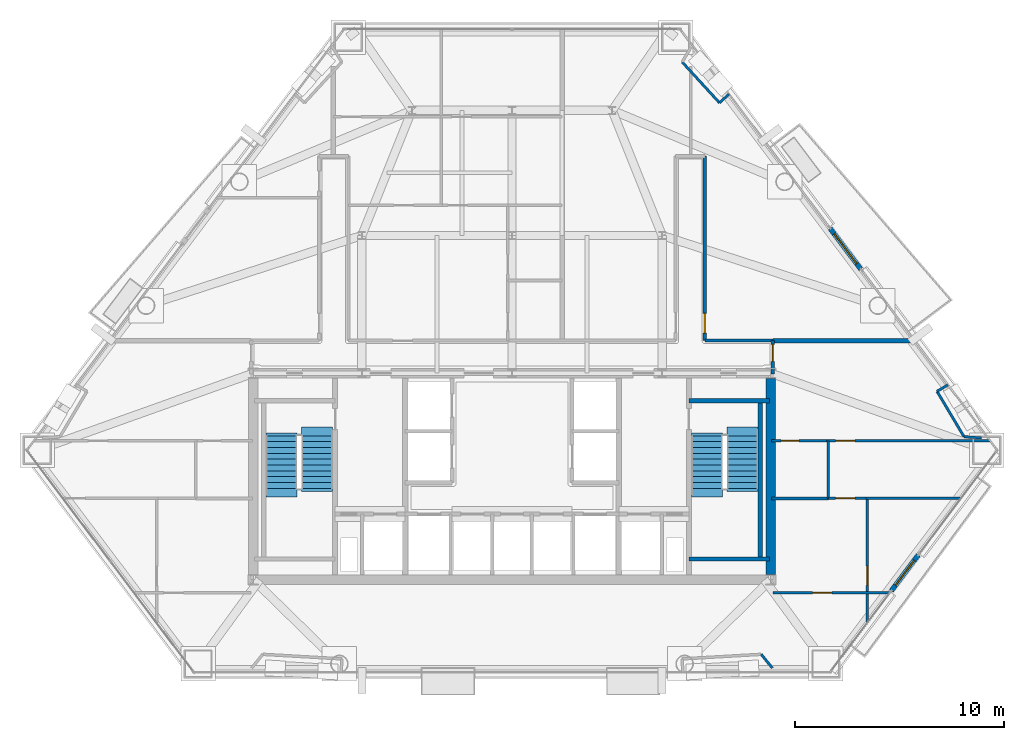
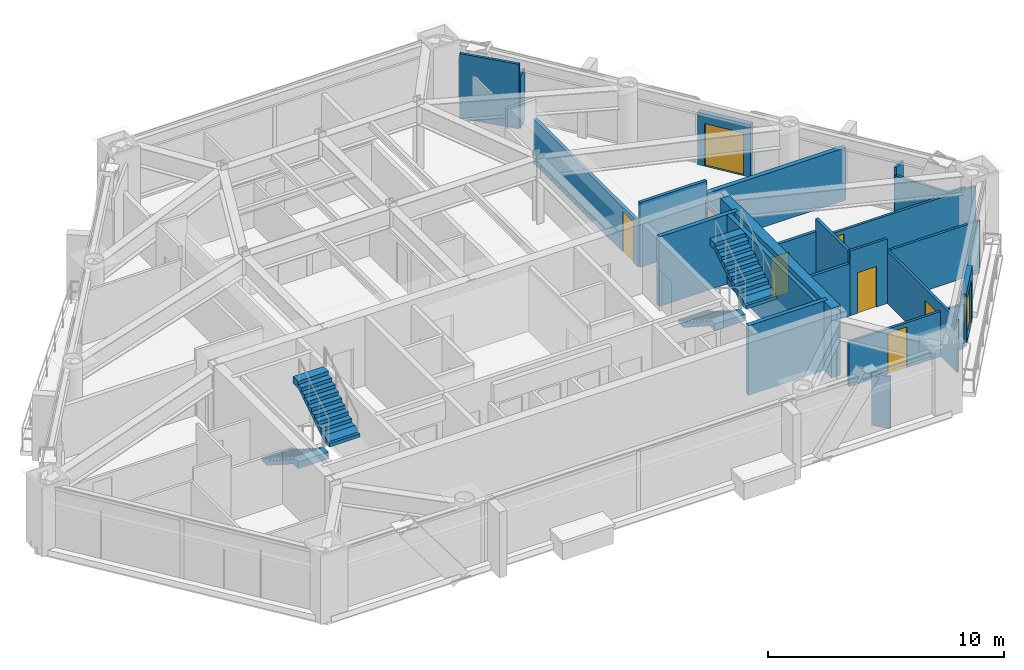
# One storey, part 8 of 10: 24 walls, 9 doors, 4 stair flights, 9 openings, 2 elements without a shape of their own.
"""IFC4 building model written with IfcOpenShell, lengths in metres."""

from ifc_helpers import new_model, si_unit, direction, frame, frame_2d, origin, place, context, subcontext, project, spatial, polyline, rectangle, outline, extrude, material, layer, layer_set, type_object, element, fill, aggregate, save


model = new_model("IFC4")

# Units and contexts
model_context = context("Model", 3, precision=1e-05, world=origin(), true_north=direction((0.0, 1.0)))
body_context = subcontext(model_context, "Body", "Model", "MODEL_VIEW")
ifc_project = project(units=[si_unit("LENGTHUNIT", "METRE"), si_unit("AREAUNIT", "SQUARE_METRE"), si_unit("VOLUMEUNIT", "CUBIC_METRE"), si_unit("PLANEANGLEUNIT", "RADIAN"), si_unit("MASSUNIT", "GRAM", prefix="KILO")], contexts=[model_context])

# Site, building, storey
site_placement = place(None, origin())
site = spatial("IfcSite", under=ifc_project, at=site_placement, CompositionType="ELEMENT")
building_placement = place(site_placement, origin())
building = spatial("IfcBuilding", under=site, at=building_placement, Name="Talgorran Terracotta Tower", CompositionType="ELEMENT")
storey_placement = place(building_placement, frame((0.0, 0.0, 49.5)))
storey = spatial("IfcBuildingStorey", under=building, at=storey_placement, Name="L12", CompositionType="ELEMENT", Elevation=49.5)

# Wall, opening, door
ifc_material_1 = material(Name="Concrete C40/50", Category="concrete")
ifc_layer_1 = layer(ifc_material_1, 0.239990234375, Name="WT_BALCONY_SPAND")
ifc_layer_set_1 = layer_set([ifc_layer_1], Name="Concrete C40/50")
wall_type_1 = type_object("IfcWallType", Name="WT_BALCONY_SPAND", PredefinedType="STANDARD", material=ifc_layer_set_1)
wall_1_placement = place(storey_placement, frame((16.72021484375, 0.7900390625, -0.014892578125), z_axis=(0.0, 0.0, 1.0), x_axis=(-0.601647678338, 0.798761585926, 0.0)))
wall_1 = element("IfcWall", 1, at=wall_1_placement, inside=storey, type_object=wall_type_1, Name="WL-L12-BALP-BAL-NE", PredefinedType="STANDARD", context=body_context, shape_type="SweptSolid", body=[
    extrude(rectangle(XDim=2.43994140625, YDim=0.239990234375, at=frame_2d((1.219970703125, 0.0))), origin(), (0.0, 0.0, 1.0), 2.728271484375),
])
opening_1_placement = place(wall_1_placement, frame((0.320068359375, 0.0, 0.014892578125)))
opening_1 = element("IfcOpeningElement", 2, at=opening_1_placement, cuts=wall_1, Name="Opening D-BAL-L12-1", PredefinedType="OPENING", context=body_context, shape_type="SweptSolid", body=[
    extrude(rectangle(XDim=1.806048828125, YDim=2.203951171875, at=frame_2d((0.89990234375, 1.10205078125))), frame((0.0, 0.1298828125, 0.0), z_axis=(0.0, -1.0, 0.0), x_axis=(1.0, 0.0, 0.0)), (0.0, 0.0, 1.0), 0.260009765625),
])
ifc_material_2 = material(Name="Thermally Broken Aluminium", Category="aluminium")
door_type_1 = type_object("IfcDoorType", Name="DT_BALC_1800", OperationType="SLIDING_TO_LEFT", PredefinedType="DOOR", material=ifc_material_2)
door_1_placement = place(opening_1_placement, origin())
door_1 = element("IfcDoor", 3, at=door_1_placement, inside=storey, type_object=door_type_1, Name="DR-L12-BAL-BAL-NE", OperationType="SLIDING_TO_LEFT", OverallHeight=2.199951171875, OverallWidth=1.800048828125, PredefinedType="DOOR", context=body_context, shape_type="SweptSolid", body=[
    extrude(rectangle(XDim=1.800048828125, YDim=2.199951171875, at=frame_2d((0.89990234375, 1.10009765625))), frame((0.0, 0.02490234375, 0.0), z_axis=(0.0, -1.0, 0.0), x_axis=(1.0, 0.0, 0.0)), (0.0, 0.0, 1.0), 0.050048828125),
])
fill(opening_1, door_1)

wall_2_placement = place(storey_placement, frame((18.188232421875, -14.625732421875, -0.014892578125), z_axis=(0.0, 0.0, 1.0), x_axis=(0.601623476904, 0.79877981449, 0.0)))
wall_2 = element("IfcWall", 4, at=wall_2_placement, inside=storey, type_object=wall_type_1, Name="WL-L12-BALP-BAL-SE", PredefinedType="STANDARD", context=body_context, shape_type="SweptSolid", body=[
    extrude(rectangle(XDim=2.139892578125, YDim=0.239990234375, at=frame_2d((1.06982421875, 0.0))), origin(), (0.0, 0.0, 1.0), 2.728271484375),
])
opening_2_placement = place(wall_2_placement, frame((0.320068359375, 0.0, 0.014892578125)))
opening_2 = element("IfcOpeningElement", 5, at=opening_2_placement, cuts=wall_2, Name="Opening D-BAL-L12-3", PredefinedType="OPENING", context=body_context, shape_type="SweptSolid", body=[
    extrude(rectangle(XDim=1.506, YDim=2.203951171875, at=frame_2d((0.75, 1.10205078125))), frame((0.0, 0.1298828125, 0.0), z_axis=(0.0, -1.0, 0.0), x_axis=(1.0, 0.0, 0.0)), (0.0, 0.0, 1.0), 0.260009765625),
])
door_type_2 = type_object("IfcDoorType", Name="DT_BALC_1500", OperationType="SLIDING_TO_RIGHT", PredefinedType="DOOR", material=ifc_material_2)
door_2_placement = place(opening_2_placement, origin())
door_2 = element("IfcDoor", 6, at=door_2_placement, inside=storey, type_object=door_type_2, Name="DR-L12-BAL-BAL-SE", OperationType="SLIDING_TO_RIGHT", OverallHeight=2.199951171875, OverallWidth=1.5, PredefinedType="DOOR", context=body_context, shape_type="SweptSolid", body=[
    extrude(rectangle(XDim=1.5, YDim=2.199951171875, at=frame_2d((0.75, 1.10009765625))), frame((0.0, 0.02490234375, 0.0), z_axis=(0.0, -1.0, 0.0), x_axis=(1.0, 0.0, 0.0)), (0.0, 0.0, 1.0), 0.050048828125),
])
fill(opening_2, door_2)

# Walls
ifc_material_3 = material(Name="Concrete C50/60", Category="concrete")
ifc_layer_2 = layer(ifc_material_3, 0.199951171875, Name="WT_CORE_200")
ifc_layer_set_2 = layer_set([ifc_layer_2], Name="Concrete C50/60")
wall_type_2 = type_object("IfcWallType", Name="WT_CORE_200", PredefinedType="SOLIDWALL", material=ifc_layer_set_2)
for number, where, z_axis, x_axis, name in (
    (7, (8.47998046875, -5.52001953125, 0.0), (0.0, 0.0, 1.0), (1.0, 0.0, 0.0), "WL-L12-CW-ST2-N"),
    (8, (8.47998046875, -13.10009765625, 0.0), (0.0, 0.0, 1.0), (1.0, 0.0, 0.0), "WL-L12-CW-ST2-S"),
):
    element("IfcWall", number, at=place(storey_placement, frame(where, z_axis=z_axis, x_axis=x_axis)), inside=storey, type_object=wall_type_2, Name=name, PredefinedType="SOLIDWALL", context=body_context, shape_type="SweptSolid", body=[
        extrude(rectangle(XDim=3.8701171875, YDim=0.199951171875, at=frame_2d((1.93505859375, 0.0))), origin(), (0.0, 0.0, 1.0), 3.60009765625),
    ])
wall_3_placement = place(storey_placement, frame((11.89990234375, -13.10009765625, 0.0), z_axis=(0.0, 0.0, 1.0), x_axis=(0.0, 1.0, 0.0)))
element("IfcWall", 9, at=wall_3_placement, inside=storey, type_object=wall_type_2, Name="WL-L12-CW-ST2-E", PredefinedType="SOLIDWALL", context=body_context, shape_type="SweptSolid", body=[
    extrude(rectangle(XDim=7.580078125, YDim=0.199951171875, at=frame_2d((3.7900390625, 0.0))), origin(), (0.0, 0.0, 1.0), 3.60009765625),
])
ifc_material_4 = material(Name="Concrete C65/80", Category="concrete")
ifc_layer_3 = layer(ifc_material_4, 0.449951171875, Name="WT_CORE_EXT")
ifc_layer_set_3 = layer_set([ifc_layer_3], Name="Concrete C65/80")
wall_type_3 = type_object("IfcWallType", Name="WT_CORE_EXT", PredefinedType="SHEAR", material=ifc_layer_set_3)
wall_4_placement = place(storey_placement, frame((12.39990234375, -13.85009765625, 0.0), z_axis=(0.0, 0.0, 1.0), x_axis=(0.0, 1.0, 0.0)))
element("IfcWall", 10, at=wall_4_placement, inside=storey, type_object=wall_type_3, Name="WL-L12-CW-OUT-E", PredefinedType="SHEAR", context=body_context, shape_type="SweptSolid", body=[
    extrude(rectangle(XDim=9.400146484375, YDim=0.449951171875, at=frame_2d((4.7001953125, 0.0))), origin(), (0.0, 0.0, 1.0), 3.60009765625),
])

# Wall, opening, door
ifc_material_5 = material(Name="Fire-Rated Steel Stud Plasterboard", Category="steel")
ifc_layer_4 = layer(ifc_material_5, 0.14990234375, Name="WT_FIRE_150")
ifc_layer_set_4 = layer_set([ifc_layer_4], Name="Fire-Rated Steel Stud Plasterboard")
wall_type_4 = type_object("IfcWallType", Name="WT_FIRE_150", PredefinedType="PARTITIONING", material=ifc_layer_set_4)
wall_5_placement = place(storey_placement, frame((9.239990234375, -2.639892578125, 0.0), z_axis=(0.0, 0.0, 1.0), x_axis=(0.0, 1.0, 0.0)))
wall_5 = element("IfcWall", 11, at=wall_5_placement, inside=storey, type_object=wall_type_4, Name="WL-L12-W-L12-R16", PredefinedType="PARTITIONING", context=body_context, shape_type="SweptSolid", body=[
    extrude(rectangle(XDim=8.83984375, YDim=0.14990234375, at=frame_2d((4.419921875, 0.0))), origin(), (0.0, 0.0, 1.0), 2.324951171875),
])
opening_3_placement = place(wall_5_placement, frame((0.359130859375, 0.0, 0.0)))
opening_3 = element("IfcOpeningElement", 12, at=opening_3_placement, cuts=wall_5, Name="Opening DR-L12-R21", PredefinedType="OPENING", context=body_context, shape_type="SweptSolid", body=[
    extrude(rectangle(XDim=0.955951171875, YDim=2.10409765625, at=frame_2d((0.47509765625, 1.052001953125))), frame((0.0, 0.0849609375, 0.0), z_axis=(0.0, -1.0, 0.0), x_axis=(1.0, 0.0, 0.0)), (0.0, 0.0, 1.0), 0.169921875),
])
ifc_material_6 = material(Name="Fire-Rated Timber Core", Category="wood")
door_type_3 = type_object("IfcDoorType", Name="DT_FIRE_950", OperationType="NOTDEFINED", PredefinedType="DOOR", material=ifc_material_6)
door_3_placement = place(opening_3_placement, origin())
door_3 = element("IfcDoor", 13, at=door_3_placement, inside=storey, type_object=door_type_3, Name="DR-L12-R21", OperationType="SINGLE_SWING_LEFT", OverallHeight=2.10009765625, OverallWidth=0.949951171875, PredefinedType="DOOR", context=body_context, shape_type="SweptSolid", body=[
    extrude(rectangle(XDim=0.949951171875, YDim=2.10009765625, at=frame_2d((0.47509765625, 1.050048828125))), frame((0.0, 0.02490234375, 0.0), z_axis=(0.0, -1.0, 0.0), x_axis=(1.0, 0.0, 0.0)), (0.0, 0.0, 1.0), 0.050048828125),
])
fill(opening_3, door_3)

# Wall
wall_6_placement = place(storey_placement, frame((9.239990234375, -2.639892578125, 0.0), z_axis=(0.0, 0.0, 1.0), x_axis=(1.0, 0.0, 0.0)))
element("IfcWall", 14, at=wall_6_placement, inside=storey, type_object=wall_type_4, Name="WL-L12-W-L12-R17", PredefinedType="PARTITIONING", context=body_context, shape_type="SweptSolid", body=[
    extrude(rectangle(XDim=3.260009765625, YDim=0.14990234375, at=frame_2d((1.6298828125, 0.0))), origin(), (0.0, 0.0, 1.0), 3.35009765625),
])

# Wall, opening, door
wall_7_placement = place(storey_placement, frame((12.5, -4.239990234375, 0.0), z_axis=(0.0, 0.0, 1.0), x_axis=(0.0, 1.0, 0.0)))
wall_7 = element("IfcWall", 15, at=wall_7_placement, inside=storey, type_object=wall_type_4, Name="WL-L12-W-L12-R02", PredefinedType="PARTITIONING", context=body_context, shape_type="SweptSolid", body=[
    extrude(rectangle(XDim=1.60009765625, YDim=0.14990234375, at=frame_2d((0.800048828125, 0.0))), origin(), (0.0, 0.0, 1.0), 2.324951171875),
])
opening_4_placement = place(wall_7_placement, frame((0.602294921875, 0.0, 0.0)))
opening_4 = element("IfcOpeningElement", 16, at=opening_4_placement, cuts=wall_7, Name="Opening DR-L12-R06", PredefinedType="OPENING", context=body_context, shape_type="SweptSolid", body=[
    extrude(rectangle(XDim=0.826068359375, YDim=2.10409765625, at=frame_2d((0.41015625, 1.052001953125))), frame((0.0, 0.0849609375, 0.0), z_axis=(0.0, -1.0, 0.0), x_axis=(1.0, 0.0, 0.0)), (0.0, 0.0, 1.0), 0.169921875),
])
ifc_material_7 = material(Name="Moisture-Resistant Solid Timber", Category="wood")
door_type_4 = type_object("IfcDoorType", Name="DT_INT_820", OperationType="NOTDEFINED", PredefinedType="DOOR", material=ifc_material_7)
door_4_placement = place(opening_4_placement, origin())
door_4 = element("IfcDoor", 17, at=door_4_placement, inside=storey, type_object=door_type_4, Name="DR-L12-R06", OperationType="SINGLE_SWING_RIGHT", OverallHeight=2.10009765625, OverallWidth=0.820068359375, PredefinedType="DOOR", context=body_context, shape_type="SweptSolid", body=[
    extrude(rectangle(XDim=0.820068359375, YDim=2.10009765625, at=frame_2d((0.41015625, 1.050048828125))), frame((0.0, 0.02490234375, 0.0), z_axis=(0.0, -1.0, 0.0), x_axis=(1.0, 0.0, 0.0)), (0.0, 0.0, 1.0), 0.050048828125),
])
fill(opening_4, door_4)

# Wall
ifc_material_8 = material(Name="Acoustic Masonry and Plasterboard", Category="masonry")
ifc_layer_5 = layer(ifc_material_8, 0.219970703125, Name="WT_PARTY_220")
ifc_layer_set_5 = layer_set([ifc_layer_5], Name="Acoustic Masonry and Plasterboard")
wall_type_5 = type_object("IfcWallType", Name="WT_PARTY_220", PredefinedType="PARTITIONING", material=ifc_layer_set_5)
wall_8_placement = place(storey_placement, frame((12.5, -2.639892578125, 0.0), z_axis=(0.0, 0.0, 1.0), x_axis=(1.0, 0.0, 0.0)))
element("IfcWall", 18, at=wall_8_placement, inside=storey, type_object=wall_type_5, Name="WL-L12-W-L12-R29", PredefinedType="PARTITIONING", context=body_context, shape_type="SweptSolid", body=[
    extrude(rectangle(XDim=6.8037109375, YDim=0.219970703125, at=frame_2d((3.40185546875, 0.0))), origin(), (0.0, 0.0, 1.0), 2.71337890625),
])

# Wall, opening, door
ifc_material_9 = material(Name="Insulated Steel Stud Plasterboard", Category="steel")
ifc_layer_6 = layer(ifc_material_9, 0.1201171875, Name="WT_PART_120")
ifc_layer_set_6 = layer_set([ifc_layer_6], Name="Insulated Steel Stud Plasterboard")
wall_type_6 = type_object("IfcWallType", Name="WT_PART_120", PredefinedType="PARTITIONING", material=ifc_layer_set_6)
wall_9_placement = place(storey_placement, frame((15.080078125, -7.43994140625, 0.0), z_axis=(0.0, 0.0, 1.0), x_axis=(1.0, 0.0, 0.0)))
wall_9 = element("IfcWall", 19, at=wall_9_placement, inside=storey, type_object=wall_type_6, Name="WL-L12-W-L12-R28", PredefinedType="PARTITIONING", context=body_context, shape_type="SweptSolid", body=[
    extrude(rectangle(XDim=7.839111328125, YDim=0.1201171875, at=frame_2d((3.91943359375, 0.0))), origin(), (0.0, 0.0, 1.0), 2.324951171875),
])
opening_5_placement = place(wall_9_placement, frame((0.43896484375, 0.0, 0.0)))
opening_5 = element("IfcOpeningElement", 20, at=opening_5_placement, cuts=wall_9, Name="Opening DR-L12-R08", PredefinedType="OPENING", context=body_context, shape_type="SweptSolid", body=[
    extrude(rectangle(XDim=0.925921875, YDim=2.10409765625, at=frame_2d((0.4599609375, 1.052001953125))), frame((0.0, 0.070068359375, 0.0), z_axis=(0.0, -1.0, 0.0), x_axis=(1.0, 0.0, 0.0)), (0.0, 0.0, 1.0), 0.14013671875),
])
ifc_material_10 = material(Name="Solid-Core Painted Timber", Category="wood")
door_type_5 = type_object("IfcDoorType", Name="DT_INT_920", OperationType="NOTDEFINED", PredefinedType="DOOR", material=ifc_material_10)
door_5_placement = place(opening_5_placement, origin())
door_5 = element("IfcDoor", 21, at=door_5_placement, inside=storey, type_object=door_type_5, Name="DR-L12-R08", OperationType="SINGLE_SWING_RIGHT", OverallHeight=2.10009765625, OverallWidth=0.919921875, PredefinedType="DOOR", context=body_context, shape_type="SweptSolid", body=[
    extrude(rectangle(XDim=0.919921875, YDim=2.10009765625, at=frame_2d((0.4599609375, 1.050048828125))), frame((0.0, 0.02490234375, 0.0), z_axis=(0.0, -1.0, 0.0), x_axis=(1.0, 0.0, 0.0)), (0.0, 0.0, 1.0), 0.050048828125),
])
fill(opening_5, door_5)

wall_10_placement = place(storey_placement, frame((17.0400390625, -16.150390625, 0.0), z_axis=(0.0, 0.0, 1.0), x_axis=(0.0, 1.0, 0.0)))
wall_10 = element("IfcWall", 22, at=wall_10_placement, inside=storey, type_object=wall_type_6, Name="WL-L12-W-L12-R35", PredefinedType="PARTITIONING", context=body_context, shape_type="SweptSolid", body=[
    extrude(rectangle(XDim=5.950439453125, YDim=0.1201171875, at=frame_2d((2.97509765625, 0.0))), origin(), (0.0, 0.0, 1.0), 2.71337890625),
])
opening_6_placement = place(wall_10_placement, frame((1.78759765625, 0.0, 0.0)))
opening_6 = element("IfcOpeningElement", 23, at=opening_6_placement, cuts=wall_10, Name="Opening DR-L12-R10", PredefinedType="OPENING", context=body_context, shape_type="SweptSolid", body=[
    extrude(rectangle(XDim=0.925921875, YDim=2.10409765625, at=frame_2d((0.4599609375, 1.052001953125))), frame((0.0, 0.070068359375, 0.0), z_axis=(0.0, -1.0, 0.0), x_axis=(1.0, 0.0, 0.0)), (0.0, 0.0, 1.0), 0.14013671875),
])
door_6_placement = place(opening_6_placement, origin())
door_6 = element("IfcDoor", 24, at=door_6_placement, inside=storey, type_object=door_type_5, Name="DR-L12-R10", OperationType="SINGLE_SWING_RIGHT", OverallHeight=2.10009765625, OverallWidth=0.919921875, PredefinedType="DOOR", context=body_context, shape_type="SweptSolid", body=[
    extrude(rectangle(XDim=0.919921875, YDim=2.10009765625, at=frame_2d((0.4599609375, 1.050048828125))), frame((0.0, 0.02490234375, 0.0), z_axis=(0.0, -1.0, 0.0), x_axis=(1.0, 0.0, 0.0)), (0.0, 0.0, 1.0), 0.050048828125),
])
fill(opening_6, door_6)

wall_11_placement = place(storey_placement, frame((12.5, -14.719970703125, 0.0), z_axis=(0.0, 0.0, 1.0), x_axis=(1.0, 0.0, 0.0)))
wall_11 = element("IfcWall", 25, at=wall_11_placement, inside=storey, type_object=wall_type_6, Name="WL-L12-W-L12-R34", PredefinedType="PARTITIONING", context=body_context, shape_type="SweptSolid", body=[
    extrude(rectangle(XDim=5.6171875, YDim=0.1201171875, at=frame_2d((2.80859375, 0.0))), origin(), (0.0, 0.0, 1.0), 2.324951171875),
])
opening_7_placement = place(wall_11_placement, frame((1.909423828125, 0.0, 0.0)))
opening_7 = element("IfcOpeningElement", 26, at=opening_7_placement, cuts=wall_11, Name="Opening DR-L12-R09", PredefinedType="OPENING", context=body_context, shape_type="SweptSolid", body=[
    extrude(rectangle(XDim=0.925921875, YDim=2.10409765625, at=frame_2d((0.4599609375, 1.052001953125))), frame((0.0, 0.070068359375, 0.0), z_axis=(0.0, -1.0, 0.0), x_axis=(1.0, 0.0, 0.0)), (0.0, 0.0, 1.0), 0.14013671875),
])
door_7_placement = place(opening_7_placement, origin())
door_7 = element("IfcDoor", 27, at=door_7_placement, inside=storey, type_object=door_type_5, Name="DR-L12-R09", OperationType="SINGLE_SWING_LEFT", OverallHeight=2.10009765625, OverallWidth=0.919921875, PredefinedType="DOOR", context=body_context, shape_type="SweptSolid", body=[
    extrude(rectangle(XDim=0.919921875, YDim=2.10009765625, at=frame_2d((0.4599609375, 1.050048828125))), frame((0.0, 0.02490234375, 0.0), z_axis=(0.0, -1.0, 0.0), x_axis=(1.0, 0.0, 0.0)), (0.0, 0.0, 1.0), 0.050048828125),
])
fill(opening_7, door_7)

# Walls
wall_12_placement = place(storey_placement, frame((16.97998046875, -10.199951171875, 0.0), z_axis=(0.0, 0.0, 1.0), x_axis=(1.0, 0.0, 0.0)))
element("IfcWall", 28, at=wall_12_placement, inside=storey, type_object=wall_type_6, Name="WL-L12-W-L12-R33", PredefinedType="PARTITIONING", context=body_context, shape_type="SweptSolid", body=[
    extrude(rectangle(XDim=4.541748046875, YDim=0.1201171875, at=frame_2d((2.27099609375, 0.0))), origin(), (0.0, 0.0, 1.0), 2.71337890625),
])
wall_13_placement = place(storey_placement, frame((9.94580078125, 8.760986328125, 0.0), z_axis=(0.0, 0.0, 1.0), x_axis=(-0.675323360741, 0.737521768111, 0.0)))
element("IfcWall", 29, at=wall_13_placement, inside=storey, type_object=wall_type_6, Name="WL-L12-BW-L12-17", PredefinedType="PARTITIONING", context=body_context, shape_type="SweptSolid", body=[
    extrude(rectangle(XDim=2.6455078125, YDim=0.1201171875, at=frame_2d((1.32275390625, 0.0))), origin(), (0.0, 0.0, 1.0), 3.35009765625),
])
wall_14_placement = place(storey_placement, frame((21.6669921875, -7.242919921875, 0.0), z_axis=(0.0, 0.0, 1.0), x_axis=(-0.511270035884, 0.859420124507, 0.0)))
element("IfcWall", 30, at=wall_14_placement, inside=storey, type_object=wall_type_6, Name="WL-L12-BW-L12-12", PredefinedType="PARTITIONING", context=body_context, shape_type="SweptSolid", body=[
    extrude(rectangle(XDim=2.529296875, YDim=0.1201171875, at=frame_2d((1.2646484375, 0.0))), origin(), (0.0, 0.0, 1.0), 2.324951171875),
])

# Wall, opening, door
wall_15_placement = place(storey_placement, frame((15.159912109375, -10.199951171875, 0.0), z_axis=(0.0, 0.0, 1.0), x_axis=(1.0, 0.0, 0.0)))
wall_15 = element("IfcWall", 31, at=wall_15_placement, inside=storey, type_object=wall_type_6, Name="WL-L12-W-L12-R32", PredefinedType="PARTITIONING", context=body_context, shape_type="SweptSolid", body=[
    extrude(rectangle(XDim=1.818115234375, YDim=0.1201171875, at=frame_2d((0.9091796875, 0.0))), origin(), (0.0, 0.0, 1.0), 3.35009765625),
])
opening_8_placement = place(wall_15_placement, frame((0.360107421875, 0.0, 0.0)))
opening_8 = element("IfcOpeningElement", 32, at=opening_8_placement, cuts=wall_15, Name="Opening DR-L12-R23", PredefinedType="OPENING", context=body_context, shape_type="SweptSolid", body=[
    extrude(rectangle(XDim=0.925921875, YDim=2.10409765625, at=frame_2d((0.4599609375, 1.052001953125))), frame((0.0, 0.070068359375, 0.0), z_axis=(0.0, -1.0, 0.0), x_axis=(1.0, 0.0, 0.0)), (0.0, 0.0, 1.0), 0.14013671875),
])
door_8_placement = place(opening_8_placement, origin())
door_8 = element("IfcDoor", 33, at=door_8_placement, inside=storey, type_object=door_type_5, Name="DR-L12-R23", OperationType="SINGLE_SWING_LEFT", OverallHeight=2.10009765625, OverallWidth=0.919921875, PredefinedType="DOOR", context=body_context, shape_type="SweptSolid", body=[
    extrude(rectangle(XDim=0.919921875, YDim=2.10009765625, at=frame_2d((0.4599609375, 1.050048828125))), frame((0.0, 0.02490234375, 0.0), z_axis=(0.0, -1.0, 0.0), x_axis=(1.0, 0.0, 0.0)), (0.0, 0.0, 1.0), 0.050048828125),
])
fill(opening_8, door_8)

# Walls
wall_16_placement = place(storey_placement, frame((11.948974609375, -17.675537109375, 0.0), z_axis=(0.0, 0.0, 1.0), x_axis=(0.626701436355, -0.779259462356, 0.0)))
element("IfcWall", 34, at=wall_16_placement, inside=storey, type_object=wall_type_6, Name="WL-L12-BW-L12-04", PredefinedType="PARTITIONING", context=body_context, shape_type="SweptSolid", body=[
    extrude(rectangle(XDim=0.844970703125, YDim=0.1201171875, at=frame_2d((0.42236328125, 0.0))), origin(), (0.0, 0.0, 1.0), 2.71337890625),
])
wall_17_placement = place(storey_placement, frame((22.509521484375, -7.302978515625, 0.0), z_axis=(0.0, 0.0, 1.0), x_axis=(-0.997468959841, 0.071103264016, 0.0)))
element("IfcWall", 35, at=wall_17_placement, inside=storey, type_object=wall_type_6, Name="WL-L12-BW-L12-11", PredefinedType="PARTITIONING", context=body_context, shape_type="SweptSolid", body=[
    extrude(rectangle(XDim=0.8447265625, YDim=0.1201171875, at=frame_2d((0.42236328125, 0.0))), origin(), (0.0, 0.0, 1.0), 2.324951171875),
])
wall_18_placement = place(storey_placement, frame((10.39453125, 9.172119140625, 0.0), z_axis=(0.0, 0.0, 1.0), x_axis=(-0.737320634479, -0.675542953462, 0.0)))
element("IfcWall", 36, at=wall_18_placement, inside=storey, type_object=wall_type_6, Name="WL-L12-BW-L12-16", PredefinedType="PARTITIONING", context=body_context, shape_type="SweptSolid", body=[
    extrude(rectangle(XDim=0.608642578125, YDim=0.1201171875, at=frame_2d((0.30419921875, 0.0))), origin(), (0.0, 0.0, 1.0), 2.71337890625),
])
wall_19_placement = place(storey_placement, frame((20.373779296875, -5.069091796875, 0.0), z_axis=(0.0, 0.0, 1.0), x_axis=(0.859424801122, 0.511262174638, 0.0)))
element("IfcWall", 37, at=wall_19_placement, inside=storey, type_object=wall_type_6, Name="WL-L12-BW-L12-10", PredefinedType="PARTITIONING", context=body_context, shape_type="SweptSolid", body=[
    extrude(rectangle(XDim=0.600341796875, YDim=0.1201171875, at=frame_2d((0.30029296875, 0.0))), origin(), (0.0, 0.0, 1.0), 2.71337890625),
])

# Wall, opening, door
ifc_material_11 = material(Name="Moisture-Resistant Stud Wall")
ifc_layer_7 = layer(ifc_material_11, 0.135009765625, Name="WT_PART_135")
ifc_layer_set_7 = layer_set([ifc_layer_7], Name="Moisture-Resistant Stud Wall")
wall_type_7 = type_object("IfcWallType", Name="WT_PART_135", PredefinedType="PARTITIONING", material=ifc_layer_set_7)
wall_20_placement = place(storey_placement, frame((12.43994140625, -7.43994140625, 0.0), z_axis=(0.0, 0.0, 1.0), x_axis=(1.0, 0.0, 0.0)))
wall_20 = element("IfcWall", 38, at=wall_20_placement, inside=storey, type_object=wall_type_7, Name="WL-L12-W-L12-R27", PredefinedType="PARTITIONING", context=body_context, shape_type="SweptSolid", body=[
    extrude(rectangle(XDim=2.637939453125, YDim=0.135009765625, at=frame_2d((1.31884765625, 0.0))), origin(), (0.0, 0.0, 1.0), 2.71337890625),
])
opening_9_placement = place(wall_20_placement, frame((0.458251953125, 0.0, 0.0)))
opening_9 = element("IfcOpeningElement", 39, at=opening_9_placement, cuts=wall_20, Name="Opening DR-L12-R07", PredefinedType="OPENING", context=body_context, shape_type="SweptSolid", body=[
    extrude(rectangle(XDim=0.85609765625, YDim=2.10409765625, at=frame_2d((0.425048828125, 1.052001953125))), frame((0.0, 0.07763671875, 0.0), z_axis=(0.0, -1.0, 0.0), x_axis=(1.0, 0.0, 0.0)), (0.0, 0.0, 1.0), 0.155029296875),
])
door_type_6 = type_object("IfcDoorType", Name="DT_INT_850", OperationType="NOTDEFINED", PredefinedType="DOOR", material=ifc_material_7)
door_9_placement = place(opening_9_placement, origin())
door_9 = element("IfcDoor", 40, at=door_9_placement, inside=storey, type_object=door_type_6, Name="DR-L12-R07", OperationType="SINGLE_SWING_LEFT", OverallHeight=2.10009765625, OverallWidth=0.85009765625, PredefinedType="DOOR", context=body_context, shape_type="SweptSolid", body=[
    extrude(rectangle(XDim=0.85009765625, YDim=2.10009765625, at=frame_2d((0.425048828125, 1.050048828125))), frame((0.0, 0.02490234375, 0.0), z_axis=(0.0, -1.0, 0.0), x_axis=(1.0, 0.0, 0.0)), (0.0, 0.0, 1.0), 0.050048828125),
])
fill(opening_9, door_9)

# Walls
wall_21_placement = place(storey_placement, frame((15.159912109375, -10.199951171875, 0.0), z_axis=(0.0, 0.0, 1.0), x_axis=(0.0, 1.0, 0.0)))
element("IfcWall", 41, at=wall_21_placement, inside=storey, type_object=wall_type_7, Name="WL-L12-W-L12-R30", PredefinedType="PARTITIONING", context=body_context, shape_type="SweptSolid", body=[
    extrude(rectangle(XDim=2.760009765625, YDim=0.135009765625, at=frame_2d((1.3798828125, 0.0))), origin(), (0.0, 0.0, 1.0), 3.35009765625),
])
wall_22_placement = place(storey_placement, frame((12.43994140625, -10.199951171875, 0.0), z_axis=(0.0, 0.0, 1.0), x_axis=(1.0, 0.0, 0.0)))
element("IfcWall", 42, at=wall_22_placement, inside=storey, type_object=wall_type_7, Name="WL-L12-W-L12-R31", PredefinedType="PARTITIONING", context=body_context, shape_type="SweptSolid", body=[
    extrude(rectangle(XDim=2.719970703125, YDim=0.135009765625, at=frame_2d((1.35986328125, 0.0))), origin(), (0.0, 0.0, 1.0), 2.71337890625),
])

# Stair, stair flights
stair_type = type_object("IfcStairType", Name="ST_FIRE_SCISSOR", PredefinedType="HALF_TURN_STAIR", material=ifc_material_1)
stair_1_placement = place(storey_placement, origin())
stair_1 = element("IfcStair", 43, at=stair_1_placement, inside=storey, type_object=stair_type, Name="L12 West Protected Fire Stair ST-01", PredefinedType="HALF_TURN_STAIR")
ifc_layer_8 = layer(ifc_material_1, 0.179931640625, Name="STF_RC_1500")
ifc_layer_set_8 = layer_set([ifc_layer_8], Name="Concrete C40/50")
stair_flight_type = type_object("IfcStairFlightType", Name="STF_RC_1500", PredefinedType="STRAIGHT", material=ifc_layer_set_8)
stair_flight_1_placement = place(storey_placement, frame((-11.050048828125, -7.199951171875, 0.0), z_axis=(0.0, 0.0, 1.0), x_axis=(0.0, -1.0, 0.0)))
stair_flight_1 = element("IfcStairFlight", 44, at=stair_flight_1_placement, type_object=stair_flight_type, Name="ST-01 flight 1", NumberOfRisers=10, NumberOfTreads=9, PredefinedType="STRAIGHT", RiserHeight=0.18, TreadLength=0.28, context=body_context, shape_type="SweptSolid", body=[
    extrude(outline(polyline([(-0.139892578125, 0.0), (-0.139892578125, 0.179931640625), (0.0, 0.179931640625), (0.280029296875, 0.360107421875), (0.56005859375, 0.360107421875), (0.56005859375, 0.5400390625), (0.840087890625, 0.5400390625), (0.840087890625, 0.719970703125), (1.1201171875, 0.719970703125), (1.1201171875, 0.89990234375), (1.39990234375, 0.89990234375), (1.39990234375, 1.080078125), (1.679931640625, 1.080078125), (1.679931640625, 1.260009765625), (1.9599609375, 1.260009765625), (1.9599609375, 1.43994140625), (2.239990234375, 1.43994140625), (2.239990234375, 1.6201171875), (2.52001953125, 1.6201171875), (2.52001953125, 1.800048828125), (2.93994140625, 1.800048828125), (2.93994140625, 1.44189453125), (2.52001953125, 1.44189453125), (0.277099609375, 0.0), (-0.139892578125, 0.0)])), frame((0.0, 0.75, 0.0), z_axis=(0.0, -1.0, 0.0), x_axis=(1.0, 0.0, 0.0)), (0.0, 0.0, 1.0), 1.5),
])
stair_flight_2_placement = place(storey_placement, frame((-9.35009765625, -9.719970703125, 1.800048828125), z_axis=(0.0, 0.0, 1.0), x_axis=(0.0, 1.0, 0.0)))
stair_flight_2 = element("IfcStairFlight", 45, at=stair_flight_2_placement, type_object=stair_flight_type, Name="ST-01 flight 2", NumberOfRisers=10, NumberOfTreads=9, PredefinedType="STRAIGHT", RiserHeight=0.18, TreadLength=0.28, context=body_context, shape_type="SweptSolid", body=[
    extrude(outline(polyline([(-0.139892578125, 0.0), (-0.139892578125, 0.179931640625), (0.0, 0.179931640625), (0.280029296875, 0.360107421875), (0.56005859375, 0.360107421875), (0.56005859375, 0.5400390625), (0.840087890625, 0.5400390625), (0.840087890625, 0.719970703125), (1.1201171875, 0.719970703125), (1.1201171875, 0.89990234375), (1.39990234375, 0.89990234375), (1.39990234375, 1.080078125), (1.679931640625, 1.080078125), (1.679931640625, 1.260009765625), (1.9599609375, 1.260009765625), (1.9599609375, 1.43994140625), (2.239990234375, 1.43994140625), (2.239990234375, 1.6201171875), (2.52001953125, 1.6201171875), (2.52001953125, 1.800048828125), (2.93994140625, 1.800048828125), (2.93994140625, 1.44189453125), (2.52001953125, 1.44189453125), (0.277099609375, 0.0), (-0.139892578125, 0.0)])), frame((0.0, 0.75, 0.0), z_axis=(0.0, -1.0, 0.0), x_axis=(1.0, 0.0, 0.0)), (0.0, 0.0, 1.0), 1.5),
])
aggregate(stair_1, [stair_flight_1, stair_flight_2])

stair_2_placement = place(storey_placement, origin())
stair_2 = element("IfcStair", 46, at=stair_2_placement, inside=storey, type_object=stair_type, Name="L12 East Protected Fire Stair ST-02", PredefinedType="HALF_TURN_STAIR")
stair_flight_3_placement = place(storey_placement, frame((9.35009765625, -7.199951171875, 0.0), z_axis=(0.0, 0.0, 1.0), x_axis=(0.0, -1.0, 0.0)))
stair_flight_3 = element("IfcStairFlight", 47, at=stair_flight_3_placement, type_object=stair_flight_type, Name="ST-02 flight 1", NumberOfRisers=10, NumberOfTreads=9, PredefinedType="STRAIGHT", RiserHeight=0.18, TreadLength=0.28, context=body_context, shape_type="SweptSolid", body=[
    extrude(outline(polyline([(-0.139892578125, 0.0), (-0.139892578125, 0.179931640625), (0.0, 0.179931640625), (0.280029296875, 0.360107421875), (0.56005859375, 0.360107421875), (0.56005859375, 0.5400390625), (0.840087890625, 0.5400390625), (0.840087890625, 0.719970703125), (1.1201171875, 0.719970703125), (1.1201171875, 0.89990234375), (1.39990234375, 0.89990234375), (1.39990234375, 1.080078125), (1.679931640625, 1.080078125), (1.679931640625, 1.260009765625), (1.9599609375, 1.260009765625), (1.9599609375, 1.43994140625), (2.239990234375, 1.43994140625), (2.239990234375, 1.6201171875), (2.52001953125, 1.6201171875), (2.52001953125, 1.800048828125), (2.93994140625, 1.800048828125), (2.93994140625, 1.44189453125), (2.52001953125, 1.44189453125), (0.277099609375, 0.0), (-0.139892578125, 0.0)])), frame((0.0, 0.75, 0.0), z_axis=(0.0, -1.0, 0.0), x_axis=(1.0, 0.0, 0.0)), (0.0, 0.0, 1.0), 1.5),
])
stair_flight_4_placement = place(storey_placement, frame((11.050048828125, -9.719970703125, 1.800048828125), z_axis=(0.0, 0.0, 1.0), x_axis=(0.0, 1.0, 0.0)))
stair_flight_4 = element("IfcStairFlight", 48, at=stair_flight_4_placement, type_object=stair_flight_type, Name="ST-02 flight 2", NumberOfRisers=10, NumberOfTreads=9, PredefinedType="STRAIGHT", RiserHeight=0.18, TreadLength=0.28, context=body_context, shape_type="SweptSolid", body=[
    extrude(outline(polyline([(-0.139892578125, 0.0), (-0.139892578125, 0.179931640625), (0.0, 0.179931640625), (0.280029296875, 0.360107421875), (0.56005859375, 0.360107421875), (0.56005859375, 0.5400390625), (0.840087890625, 0.5400390625), (0.840087890625, 0.719970703125), (1.1201171875, 0.719970703125), (1.1201171875, 0.89990234375), (1.39990234375, 0.89990234375), (1.39990234375, 1.080078125), (1.679931640625, 1.080078125), (1.679931640625, 1.260009765625), (1.9599609375, 1.260009765625), (1.9599609375, 1.43994140625), (2.239990234375, 1.43994140625), (2.239990234375, 1.6201171875), (2.52001953125, 1.6201171875), (2.52001953125, 1.800048828125), (2.93994140625, 1.800048828125), (2.93994140625, 1.44189453125), (2.52001953125, 1.44189453125), (0.277099609375, 0.0), (-0.139892578125, 0.0)])), frame((0.0, 0.75, 0.0), z_axis=(0.0, -1.0, 0.0), x_axis=(1.0, 0.0, 0.0)), (0.0, 0.0, 1.0), 1.5),
])
aggregate(stair_2, [stair_flight_3, stair_flight_4])

save(model, "model.ifc")
